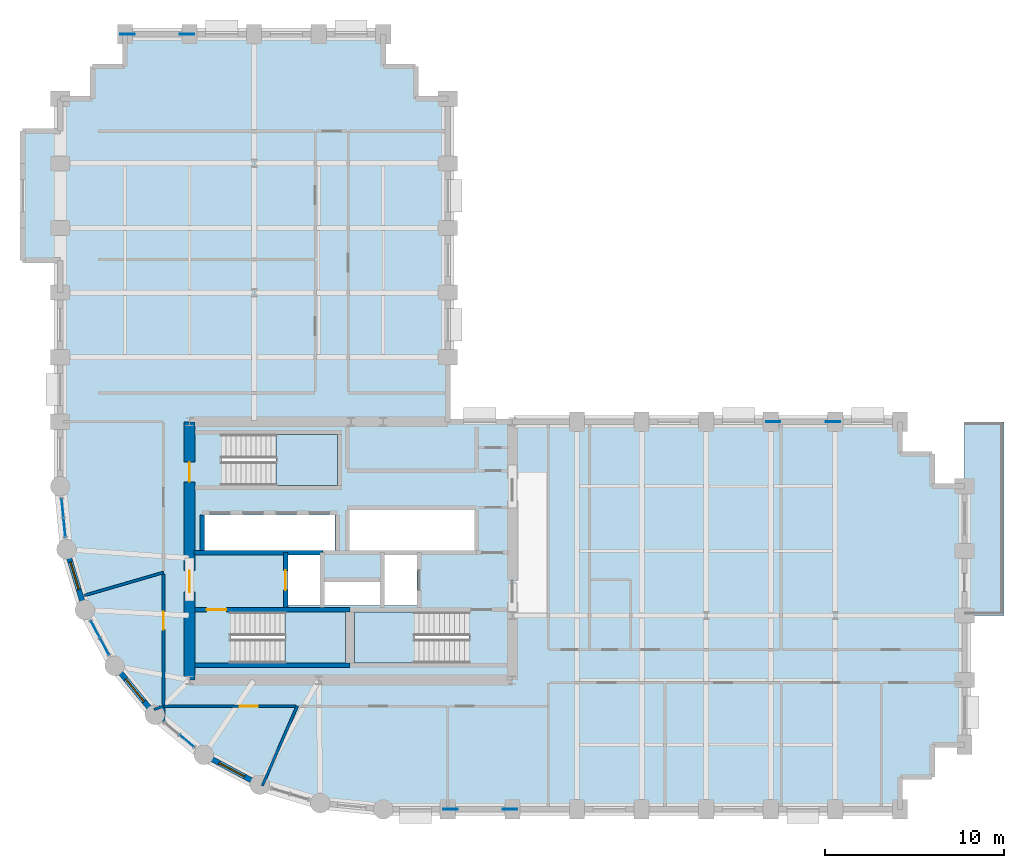
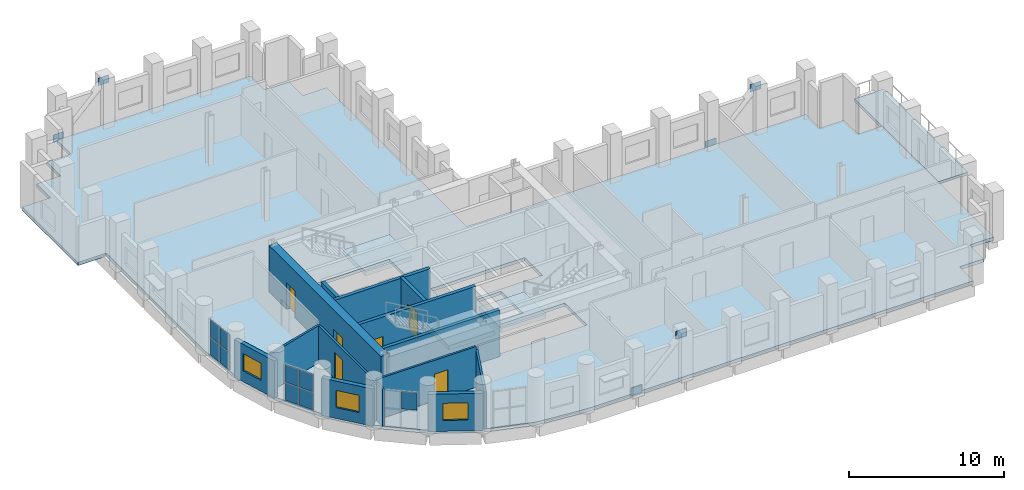
# One storey, part 7 of 13: 15 plates, 14 walls, 6 doors, 5 slabs, 3 windows, 9 openings, 6 elements without a shape of their own.
"""IFC4 building model written with IfcOpenShell, lengths in metres."""

from ifc_helpers import new_model, si_unit, direction, frame, frame_2d, origin, origin_2d, place, context, subcontext, project, spatial, polyline, rectangle, outline, extrude, material, layer, layer_set, type_object, element, fill, aggregate, save


model = new_model("IFC4")

# Units and contexts
model_context = context("Model", 3, precision=1e-05, world=origin(), true_north=direction((0.0, 1.0)))
body_context = subcontext(model_context, "Body", "Model", "MODEL_VIEW")
ifc_project = project(units=[si_unit("LENGTHUNIT", "METRE"), si_unit("AREAUNIT", "SQUARE_METRE"), si_unit("VOLUMEUNIT", "CUBIC_METRE"), si_unit("PLANEANGLEUNIT", "RADIAN"), si_unit("MASSUNIT", "GRAM", prefix="KILO")], contexts=[model_context])

# Site, building, storey
site_placement = place(None, origin())
site = spatial("IfcSite", under=ifc_project, at=site_placement, CompositionType="ELEMENT")
building_placement = place(site_placement, origin())
building = spatial("IfcBuilding", under=site, at=building_placement, Name="Solnavia Interchange Tower", CompositionType="ELEMENT")
storey_placement = place(building_placement, frame((0.0, 0.0, 87.89990234375)))
storey = spatial("IfcBuildingStorey", under=building, at=storey_placement, Name="L21", CompositionType="ELEMENT", Elevation=87.89990234375)

# Curtain wall, plates
ifc_material_1 = material(Name="Aluminium Alloy 6063-T6", Category="aluminium")
ifc_layer_1 = layer(ifc_material_1, 0.239990234375)
ifc_layer_set_1 = layer_set([ifc_layer_1], Name="Aluminium Alloy 6063-T6")
curtain_wall_type = type_object("IfcCurtainWallType", Name="CurtainWall-Drum-CTW2", PredefinedType="NOTDEFINED", material=ifc_layer_set_1)
curtain_wall_1_placement = place(storey_placement, origin())
curtain_wall_1 = element("IfcCurtainWall", 1, at=curtain_wall_1_placement, inside=storey, type_object=curtain_wall_type, Name="CTW-L21-D55 CTW-2 curtain wall", PredefinedType="NOTDEFINED")
ifc_material_2 = material(Name="Double-Glazed Low-E IGU Glass", Category="glass")
ifc_layer_2 = layer(ifc_material_2, 0.031982421875)
ifc_layer_set_2 = layer_set([ifc_layer_2], Name="Double-Glazed Low-E IGU Glass")
plate_type_1 = type_object("IfcPlateType", Name="CW-Panel-Solar-32", PredefinedType="CURTAIN_PANEL", material=ifc_layer_set_2)
plate_1_placement = place(storey_placement, frame((7.319580078125, 20.38623046875, 0.06494140625), z_axis=(0.0, 0.0, 1.0), x_axis=(0.098045297616, -0.995181953019, 0.0)))
plate_1 = element("IfcPlate", 2, at=plate_1_placement, type_object=plate_type_1, Name="CTW-2 panel 1.1", PredefinedType="CURTAIN_PANEL", context=body_context, shape_type="SweptSolid", body=[
    extrude(rectangle(XDim=1.0146484375, YDim=0.031982421875, at=origin_2d()), origin(), (0.0, 0.0, 1.0), 1.367431640625),
])
plate_2_placement = place(storey_placement, frame((7.319580078125, 20.38623046875, 1.49755859375), z_axis=(0.0, 0.0, 1.0), x_axis=(0.098045297616, -0.995181953019, 0.0)))
plate_2 = element("IfcPlate", 3, at=plate_2_placement, type_object=plate_type_1, Name="CTW-2 panel 1.2", PredefinedType="CURTAIN_PANEL", context=body_context, shape_type="SweptSolid", body=[
    extrude(rectangle(XDim=1.0146484375, YDim=0.031982421875, at=origin_2d()), origin(), (0.0, 0.0, 1.0), 1.367431640625),
])
plate_3_placement = place(storey_placement, frame((7.426513671875, 19.3017578125, 0.06494140625), z_axis=(0.0, 0.0, 1.0), x_axis=(0.098045297616, -0.995181953019, 0.0)))
plate_3 = element("IfcPlate", 4, at=plate_3_placement, type_object=plate_type_1, Name="CTW-2 panel 2.1", PredefinedType="CURTAIN_PANEL", context=body_context, shape_type="SweptSolid", body=[
    extrude(rectangle(XDim=1.0146484375, YDim=0.031982421875, at=origin_2d()), origin(), (0.0, 0.0, 1.0), 1.367431640625),
])
plate_4_placement = place(storey_placement, frame((7.426513671875, 19.3017578125, 1.49755859375), z_axis=(0.0, 0.0, 1.0), x_axis=(0.098045297616, -0.995181953019, 0.0)))
plate_4 = element("IfcPlate", 5, at=plate_4_placement, type_object=plate_type_1, Name="CTW-2 panel 2.2", PredefinedType="CURTAIN_PANEL", context=body_context, shape_type="SweptSolid", body=[
    extrude(rectangle(XDim=1.0146484375, YDim=0.031982421875, at=origin_2d()), origin(), (0.0, 0.0, 1.0), 1.367431640625),
])
aggregate(curtain_wall_1, [plate_1, plate_2, plate_3, plate_4])

curtain_wall_2_placement = place(storey_placement, origin())
curtain_wall_2 = element("IfcCurtainWall", 6, at=curtain_wall_2_placement, inside=storey, type_object=curtain_wall_type, Name="CTW-L21-D57 CTW-2 curtain wall", PredefinedType="NOTDEFINED")
plate_5_placement = place(storey_placement, frame((9.14501953125, 13.636474609375, 0.06494140625), z_axis=(0.0, 0.0, 1.0), x_axis=(0.471536719402, -0.881846427818, 0.0)))
plate_5 = element("IfcPlate", 7, at=plate_5_placement, type_object=plate_type_1, Name="CTW-2 panel 1.1", PredefinedType="CURTAIN_PANEL", context=body_context, shape_type="SweptSolid", body=[
    extrude(rectangle(XDim=1.014404296875, YDim=0.031982421875, at=origin_2d()), origin(), (0.0, 0.0, 1.0), 1.367431640625),
])
plate_6_placement = place(storey_placement, frame((9.14501953125, 13.636474609375, 1.49755859375), z_axis=(0.0, 0.0, 1.0), x_axis=(0.471536719402, -0.881846427818, 0.0)))
plate_6 = element("IfcPlate", 8, at=plate_6_placement, type_object=plate_type_1, Name="CTW-2 panel 1.2", PredefinedType="CURTAIN_PANEL", context=body_context, shape_type="SweptSolid", body=[
    extrude(rectangle(XDim=1.014404296875, YDim=0.031982421875, at=origin_2d()), origin(), (0.0, 0.0, 1.0), 1.367431640625),
])
plate_7_placement = place(storey_placement, frame((9.658935546875, 12.675537109375, 0.06494140625), z_axis=(0.0, 0.0, 1.0), x_axis=(0.471536719402, -0.881846427818, 0.0)))
plate_7 = element("IfcPlate", 9, at=plate_7_placement, type_object=plate_type_1, Name="CTW-2 panel 2.1", PredefinedType="CURTAIN_PANEL", context=body_context, shape_type="SweptSolid", body=[
    extrude(rectangle(XDim=1.014404296875, YDim=0.031982421875, at=origin_2d()), origin(), (0.0, 0.0, 1.0), 1.367431640625),
])
plate_8_placement = place(storey_placement, frame((9.658935546875, 12.675537109375, 1.49755859375), z_axis=(0.0, 0.0, 1.0), x_axis=(0.471536719402, -0.881846427818, 0.0)))
plate_8 = element("IfcPlate", 10, at=plate_8_placement, type_object=plate_type_1, Name="CTW-2 panel 2.2", PredefinedType="CURTAIN_PANEL", context=body_context, shape_type="SweptSolid", body=[
    extrude(rectangle(XDim=1.014404296875, YDim=0.031982421875, at=origin_2d()), origin(), (0.0, 0.0, 1.0), 1.367431640625),
])
aggregate(curtain_wall_2, [plate_5, plate_6, plate_7, plate_8])

# Curtain wall, plate
curtain_wall_3_placement = place(storey_placement, origin())
curtain_wall_3 = element("IfcCurtainWall", 11, at=curtain_wall_3_placement, inside=storey, type_object=curtain_wall_type, Name="CTW-L21-D59 CTW-2 curtain wall", PredefinedType="NOTDEFINED")
plate_9_placement = place(storey_placement, frame((14.257080078125, 7.407470703125, 1.49755859375), z_axis=(0.0, 0.0, 1.0), x_axis=(0.773094572227, -0.634290771172, 0.0)))
plate_9 = element("IfcPlate", 12, at=plate_9_placement, type_object=plate_type_1, Name="CTW-2 panel 2.2", PredefinedType="CURTAIN_PANEL", context=body_context, shape_type="SweptSolid", body=[
    extrude(rectangle(XDim=1.01416015625, YDim=0.031982421875, at=origin_2d()), origin(), (0.0, 0.0, 1.0), 1.367431640625),
])
aggregate(curtain_wall_3, [plate_9])

# Plates
ifc_material_3 = material(Name="Steel S460", Category="steel")
ifc_layer_3 = layer(ifc_material_3, 0.035888671875)
ifc_layer_set_3 = layer_set([ifc_layer_3], Name="Steel S460")
plate_type_2 = type_object("IfcPlateType", Name="Plate-Gusset-800x600x36", PredefinedType="USERDEFINED", material=ifc_layer_set_3)
for number, where, z_axis, x_axis, name in (
    (13, (28.93994140625, 3.60009765625, -0.119873046875), (0.0, 0.0, 1.0), (1.0, 0.0, 0.0), "PLT-L21-GP01 Perimeter brace gusset plate"),
    (14, (32.260009765625, 3.60009765625, 3.170166015625), (0.0, 0.0, 1.0), (1.0, 0.0, 0.0), "PLT-L21-GP02 Perimeter brace gusset plate"),
    (15, (10.93994140625, 46.800048828125, -0.119873046875), (0.0, 0.0, 1.0), (1.0, 0.0, 0.0), "PLT-L21-GP03 Perimeter brace gusset plate"),
    (16, (14.260009765625, 46.800048828125, 3.170166015625), (0.0, 0.0, 1.0), (1.0, 0.0, 0.0), "PLT-L21-GP04 Perimeter brace gusset plate"),
    (17, (46.93994140625, 25.199951171875, -0.119873046875), (0.0, 0.0, 1.0), (1.0, 0.0, 0.0), "PLT-L21-GP05 Perimeter brace gusset plate"),
    (18, (50.260009765625, 25.199951171875, 3.170166015625), (0.0, 0.0, 1.0), (1.0, 0.0, 0.0), "PLT-L21-GP06 Perimeter brace gusset plate"),
):
    element("IfcPlate", number, at=place(storey_placement, frame(where, z_axis=z_axis, x_axis=x_axis)), inside=storey, type_object=plate_type_2, Name=name, ObjectType="GUSSET PLATE", PredefinedType="USERDEFINED", context=body_context, shape_type="SweptSolid", body=[
        extrude(rectangle(XDim=0.800048828125, YDim=0.035888671875, at=origin_2d()), origin(), (0.0, 0.0, 1.0), 0.60009765625),
    ])

# Stair, slab
ifc_material_4 = material(Name="Concrete C40/50", Category="concrete")
stair_type = type_object("IfcStairType", Name="Stair-Dogleg-RC", PredefinedType="HALF_TURN_STAIR", material=ifc_material_4)
stair_1_placement = place(storey_placement, origin())
stair_1 = element("IfcStair", 19, at=stair_1_placement, inside=storey, type_object=stair_type, Name="L21 Core exit stair 1", PredefinedType="HALF_TURN_STAIR")
ifc_layer_4 = layer(ifc_material_4, 0.35009765625)
ifc_layer_set_4 = layer_set([ifc_layer_4], Name="Concrete C40/50")
slab_type_1 = type_object("IfcSlabType", Name="Slab-StairLanding-350", PredefinedType="LANDING", material=ifc_layer_set_4)
slab_1_placement = place(storey_placement, frame((0.0, 0.0, 1.60009765625)))
slab_1 = element("IfcSlab", 20, at=slab_1_placement, type_object=slab_type_1, Name="ST-1 landing 1", PredefinedType="LANDING", context=body_context, shape_type="SweptSolid", body=[
    extrude(outline(polyline([(19.7080078125, 11.75), (23.10009765625, 11.75), (23.10009765625, 14.590087890625), (19.7080078125, 14.590087890625), (19.7080078125, 11.75)])), origin(), (0.0, 0.0, 1.0), 0.35009765625),
])
aggregate(stair_1, [slab_1])

stair_2_placement = place(storey_placement, origin())
stair_2 = element("IfcStair", 21, at=stair_2_placement, inside=storey, type_object=stair_type, Name="L21 Core exit stair 2", PredefinedType="HALF_TURN_STAIR")
slab_2_placement = place(storey_placement, frame((0.0, 0.0, 1.60009765625)))
slab_2 = element("IfcSlab", 22, at=slab_2_placement, type_object=slab_type_1, Name="ST-2 landing 1", PredefinedType="LANDING", context=body_context, shape_type="SweptSolid", body=[
    extrude(outline(polyline([(23.60009765625, 11.75), (26.94189453125, 11.75), (26.94189453125, 14.590087890625), (23.60009765625, 14.590087890625), (23.60009765625, 11.75)])), origin(), (0.0, 0.0, 1.0), 0.35009765625),
])
aggregate(stair_2, [slab_2])

stair_3_placement = place(storey_placement, origin())
stair_3 = element("IfcStair", 23, at=stair_3_placement, inside=storey, type_object=stair_type, Name="L21 Core exit stair 3", PredefinedType="HALF_TURN_STAIR")
slab_3_placement = place(storey_placement, frame((0.0, 0.0, 1.60009765625)))
slab_3 = element("IfcSlab", 24, at=slab_3_placement, type_object=slab_type_1, Name="ST-3 landing 1", PredefinedType="LANDING", context=body_context, shape_type="SweptSolid", body=[
    extrude(outline(polyline([(19.2080078125, 21.64990234375), (22.64990234375, 21.64990234375), (22.64990234375, 24.489990234375), (19.2080078125, 24.489990234375), (19.2080078125, 21.64990234375)])), origin(), (0.0, 0.0, 1.0), 0.35009765625),
])
aggregate(stair_3, [slab_3])

# Slabs
ifc_layer_5 = layer(ifc_material_4, 0.219970703125)
ifc_layer_set_5 = layer_set([ifc_layer_5], Name="Concrete C40/50")
slab_type_2 = type_object("IfcSlabType", Name="Slab-Terrace-220", PredefinedType="FLOOR", material=ifc_layer_set_5)
slab_4_placement = place(storey_placement, frame((0.0, 0.0, -0.260009765625)))
element("IfcSlab", 25, at=slab_4_placement, inside=storey, type_object=slab_type_2, Name="TER-L21-01 Outdoor spiral terrace slab", PredefinedType="FLOOR", context=body_context, shape_type="SweptSolid", body=[
    extrude(outline(polyline([(57.60009765625, 14.39990234375), (59.800048828125, 14.39990234375), (59.800048828125, 25.199951171875), (57.60009765625, 25.199951171875), (57.60009765625, 14.39990234375)])), origin(), (0.0, 0.0, 1.0), 0.22021484375),
])
ifc_layer_6 = layer(ifc_material_4, 0.25)
ifc_layer_set_6 = layer_set([ifc_layer_6], Name="Concrete C40/50")
slab_type_3 = type_object("IfcSlabType", Name="Slab-Tower-250", PredefinedType="FLOOR", material=ifc_layer_set_6)
slab_5_placement = place(storey_placement, frame((0.0, 0.0, -0.25)))
element("IfcSlab", 26, at=slab_5_placement, inside=storey, type_object=slab_type_3, Name="SLB-L21-01 Structural floor slab", PredefinedType="FLOOR", context=body_context, shape_type="SweptSolid", body=[
    extrude(outline(polyline([(25.199951171875, 3.60009765625), (54.0, 3.60009765625), (54.0, 5.39990234375), (55.800048828125, 5.39990234375), (55.800048828125, 7.199951171875), (57.60009765625, 7.199951171875), (57.60009765625, 21.60009765625), (55.800048828125, 21.60009765625), (55.800048828125, 23.39990234375), (54.0, 23.39990234375), (54.0, 25.199951171875), (28.800048828125, 25.199951171875), (28.800048828125, 43.199951171875), (27.0, 43.199951171875), (27.0, 45.0), (25.199951171875, 45.0), (25.199951171875, 46.800048828125), (10.800048828125, 46.800048828125), (10.800048828125, 45.0), (9.0, 45.0), (9.0, 43.199951171875), (7.199951171875, 43.199951171875), (7.199951171875, 41.39990234375), (5.10009765625, 41.39990234375), (5.10009765625, 34.199951171875), (7.199951171875, 34.199951171875), (7.199951171875, 21.60009765625), (7.5458984375, 18.087890625), (8.570068359375, 14.7119140625), (10.23388671875, 11.60009765625), (12.471923828125, 8.8720703125), (15.199951171875, 6.634033203125), (18.31201171875, 4.969970703125), (21.68798828125, 3.946044921875), (25.199951171875, 3.60009765625)]), holes=[polyline([(16.675048828125, 11.75), (23.10009765625, 11.75), (23.10009765625, 14.590087890625), (16.675048828125, 14.590087890625), (16.675048828125, 11.75)]), polyline([(23.60009765625, 11.75), (29.97509765625, 11.75), (29.97509765625, 14.590087890625), (23.60009765625, 14.590087890625), (23.60009765625, 11.75)]), polyline([(16.175048828125, 21.64990234375), (22.64990234375, 21.64990234375), (22.64990234375, 24.489990234375), (16.175048828125, 24.489990234375), (16.175048828125, 21.64990234375)]), polyline([(19.8798828125, 14.9599609375), (21.679931640625, 14.9599609375), (21.679931640625, 17.780029296875), (19.8798828125, 17.780029296875), (19.8798828125, 14.9599609375)]), polyline([(25.280029296875, 14.9599609375), (27.080078125, 14.9599609375), (27.080078125, 17.780029296875), (25.280029296875, 17.780029296875), (25.280029296875, 14.9599609375)]), polyline([(21.919921875, 14.9599609375), (25.02001953125, 14.9599609375), (25.02001953125, 16.280029296875), (21.919921875, 16.280029296875), (21.919921875, 14.9599609375)]), polyline([(15.219970703125, 18.02001953125), (22.52001953125, 18.02001953125), (22.52001953125, 20.0), (15.219970703125, 20.0), (15.219970703125, 18.02001953125)]), polyline([(23.300048828125, 18.02001953125), (30.280029296875, 18.02001953125), (30.280029296875, 20.300048828125), (23.300048828125, 20.300048828125), (23.300048828125, 18.02001953125)])]), origin(), (0.0, 0.0, 1.0), 0.25),
])

# Wall, opening, window
ifc_layer_7 = layer(ifc_material_4, 0.300048828125)
ifc_layer_set_7 = layer_set([ifc_layer_7], Name="Concrete C40/50")
wall_type_1 = type_object("IfcWallType", Name="Wall-ExtSpandrel-300", PredefinedType="STANDARD", material=ifc_layer_set_7)
wall_1_placement = place(storey_placement, frame((8.570068359375, 14.7119140625, 0.0), z_axis=(0.0, 0.0, 1.0), x_axis=(-0.290305086481, 0.956934144423, 0.0)))
wall_1 = element("IfcWall", 27, at=wall_1_placement, inside=storey, type_object=wall_type_1, Name="EXW-L21-56 Exterior precast spandrel wall", PredefinedType="STANDARD", context=body_context, shape_type="SweptSolid", body=[
    extrude(rectangle(XDim=3.52783203125, YDim=0.300048828125, at=frame_2d((1.763916015625, 0.0))), origin(), (0.0, 0.0, 1.0), 2.93017578125),
])
opening_1_placement = place(wall_1_placement, frame((1.18408203125, 0.0, 0.85009765625)))
opening_1 = element("IfcOpeningElement", 28, at=opening_1_placement, cuts=wall_1, Name="Opening WIN-04", PredefinedType="OPENING", context=body_context, shape_type="SweptSolid", body=[
    extrude(rectangle(XDim=1.60009765625, YDim=1.35009765625, at=frame_2d((0.800048828125, 0.675048828125))), frame((0.0, 0.16015625, 0.0), z_axis=(0.0, -1.0, 0.0), x_axis=(1.0, 0.0, 0.0)), (0.0, 0.0, 1.0), 0.320068359375),
])
ifc_material_5 = material(Name="Thermal-Break Aluminium & Low-E Glass", Category="aluminium")
window_type = type_object("IfcWindowType", Name="Window-Drum-1600x1350", PartitioningType="SINGLE_PANEL", PredefinedType="WINDOW", material=ifc_material_5)
window_1_placement = place(opening_1_placement, origin())
window_1 = element("IfcWindow", 29, at=window_1_placement, inside=storey, type_object=window_type, Name="WIN-L21-56 Facade ribbon window", OverallHeight=1.35009765625, OverallWidth=1.60009765625, PartitioningType="SINGLE_PANEL", PredefinedType="WINDOW", context=body_context, shape_type="SweptSolid", body=[
    extrude(rectangle(XDim=1.60009765625, YDim=1.35009765625, at=frame_2d((0.800048828125, 0.675048828125))), frame((0.0, 0.030029296875, 0.0), z_axis=(0.0, -1.0, 0.0), x_axis=(1.0, 0.0, 0.0)), (0.0, 0.0, 1.0), 0.06005859375),
])
fill(opening_1, window_1)

wall_2_placement = place(storey_placement, frame((12.471923828125, 8.8720703125, 0.0), z_axis=(0.0, 0.0, 1.0), x_axis=(-0.634258295121, 0.773121216285, 0.0)))
wall_2 = element("IfcWall", 30, at=wall_2_placement, inside=storey, type_object=wall_type_1, Name="EXW-L21-58 Exterior precast spandrel wall", PredefinedType="STANDARD", context=body_context, shape_type="SweptSolid", body=[
    extrude(rectangle(XDim=3.528564453125, YDim=0.300048828125, at=frame_2d((1.76416015625, 0.0))), origin(), (0.0, 0.0, 1.0), 2.93017578125),
])
opening_2_placement = place(wall_2_placement, frame((0.964111328125, 0.0, 0.85009765625)))
opening_2 = element("IfcOpeningElement", 31, at=opening_2_placement, cuts=wall_2, Name="Opening WIN-04", PredefinedType="OPENING", context=body_context, shape_type="SweptSolid", body=[
    extrude(rectangle(XDim=1.60009765625, YDim=1.35009765625, at=frame_2d((0.800048828125, 0.675048828125))), frame((0.0, 0.16015625, 0.0), z_axis=(0.0, -1.0, 0.0), x_axis=(1.0, 0.0, 0.0)), (0.0, 0.0, 1.0), 0.320068359375),
])
window_2_placement = place(opening_2_placement, origin())
window_2 = element("IfcWindow", 32, at=window_2_placement, inside=storey, type_object=window_type, Name="WIN-L21-58 Facade ribbon window", OverallHeight=1.35009765625, OverallWidth=1.60009765625, PartitioningType="SINGLE_PANEL", PredefinedType="WINDOW", context=body_context, shape_type="SweptSolid", body=[
    extrude(rectangle(XDim=1.60009765625, YDim=1.35009765625, at=frame_2d((0.800048828125, 0.675048828125))), frame((0.0, 0.030029296875, 0.0), z_axis=(0.0, -1.0, 0.0), x_axis=(1.0, 0.0, 0.0)), (0.0, 0.0, 1.0), 0.06005859375),
])
fill(opening_2, window_2)

wall_3_placement = place(storey_placement, frame((18.31201171875, 4.969970703125, 0.0), z_axis=(0.0, 0.0, 1.0), x_axis=(-0.881846862014, 0.471535907389, 0.0)))
wall_3 = element("IfcWall", 33, at=wall_3_placement, inside=storey, type_object=wall_type_1, Name="EXW-L21-60 Exterior precast spandrel wall", PredefinedType="STANDARD", context=body_context, shape_type="SweptSolid", body=[
    extrude(rectangle(XDim=3.529052734375, YDim=0.300048828125, at=frame_2d((1.7646484375, 0.0))), origin(), (0.0, 0.0, 1.0), 2.93017578125),
])
opening_3_placement = place(wall_3_placement, frame((0.964111328125, 0.0, 0.85009765625)))
opening_3 = element("IfcOpeningElement", 34, at=opening_3_placement, cuts=wall_3, Name="Opening WIN-04", PredefinedType="OPENING", context=body_context, shape_type="SweptSolid", body=[
    extrude(rectangle(XDim=1.60009765625, YDim=1.35009765625, at=frame_2d((0.800048828125, 0.675048828125))), frame((0.0, 0.16015625, 0.0), z_axis=(0.0, -1.0, 0.0), x_axis=(1.0, 0.0, 0.0)), (0.0, 0.0, 1.0), 0.320068359375),
])
window_3_placement = place(opening_3_placement, origin())
window_3 = element("IfcWindow", 35, at=window_3_placement, inside=storey, type_object=window_type, Name="WIN-L21-60 Facade ribbon window", OverallHeight=1.35009765625, OverallWidth=1.60009765625, PartitioningType="SINGLE_PANEL", PredefinedType="WINDOW", context=body_context, shape_type="SweptSolid", body=[
    extrude(rectangle(XDim=1.60009765625, YDim=1.35009765625, at=frame_2d((0.800048828125, 0.675048828125))), frame((0.0, 0.030029296875, 0.0), z_axis=(0.0, -1.0, 0.0), x_axis=(1.0, 0.0, 0.0)), (0.0, 0.0, 1.0), 0.06005859375),
])
fill(opening_3, window_3)

# Walls
ifc_material_6 = material(Name="Gypsum Plasterboard & Steel Stud", Category="steel")
ifc_layer_8 = layer(ifc_material_6, 0.14990234375)
ifc_layer_set_8 = layer_set([ifc_layer_8], Name="Gypsum Plasterboard & Steel Stud")
wall_type_2 = type_object("IfcWallType", Name="Wall-Partition-150", PredefinedType="PARTITIONING", material=ifc_layer_set_8)
wall_4_placement = place(storey_placement, frame((12.949951171875, 16.800048828125, 0.0), z_axis=(0.0, 0.0, 1.0), x_axis=(-0.960237798553, -0.279183398915, 0.0)))
element("IfcWall", 36, at=wall_4_placement, inside=storey, type_object=wall_type_2, Name="PTW-L21-09 Interior partition wall", PredefinedType="PARTITIONING", context=body_context, shape_type="SweptSolid", body=[
    extrude(rectangle(XDim=4.5927734375, YDim=0.14990234375, at=frame_2d((2.29638671875, 0.0))), origin(), (0.0, 0.0, 1.0), 2.93017578125),
])
wall_5_placement = place(storey_placement, frame((12.949951171875, 9.35009765625, 0.0), z_axis=(0.0, 0.0, 1.0), x_axis=(-0.939538101119, -0.342444384601, 0.0)))
element("IfcWall", 37, at=wall_5_placement, inside=storey, type_object=wall_type_2, Name="PTW-L21-10 Interior partition wall", PredefinedType="PARTITIONING", context=body_context, shape_type="SweptSolid", body=[
    extrude(rectangle(XDim=0.558837890625, YDim=0.14990234375, at=frame_2d((0.279296875, 0.0))), origin(), (0.0, 0.0, 1.0), 2.93017578125),
])
wall_6_placement = place(storey_placement, frame((20.39990234375, 9.35009765625, 0.0), z_axis=(0.0, 0.0, 1.0), x_axis=(-0.400943051832, -0.916102979576, 0.0)))
element("IfcWall", 38, at=wall_6_placement, inside=storey, type_object=wall_type_2, Name="PTW-L21-11 Interior partition wall", PredefinedType="PARTITIONING", context=body_context, shape_type="SweptSolid", body=[
    extrude(rectangle(XDim=4.845703125, YDim=0.14990234375, at=frame_2d((2.4228515625, 0.0))), origin(), (0.0, 0.0, 1.0), 2.93017578125),
])

# Wall, opening, door
wall_7_placement = place(storey_placement, frame((12.949951171875, 8.47998046875, 0.0), z_axis=(0.0, 0.0, 1.0), x_axis=(0.0, 1.0, 0.0)))
wall_7 = element("IfcWall", 39, at=wall_7_placement, inside=storey, type_object=wall_type_2, Name="PTW-L21-13 Interior partition wall", PredefinedType="PARTITIONING", context=body_context, shape_type="SweptSolid", body=[
    extrude(rectangle(XDim=8.240966796875, YDim=0.14990234375, at=frame_2d((4.12060546875, 0.0))), origin(), (0.0, 0.0, 1.0), 2.93017578125),
])
opening_4_placement = place(wall_7_placement, frame((5.131103515625, 0.0, 0.0)))
opening_4 = element("IfcOpeningElement", 40, at=opening_4_placement, cuts=wall_7, Name="Opening DR-07", PredefinedType="OPENING", context=body_context, shape_type="SweptSolid", body=[
    extrude(rectangle(XDim=1.0, YDim=2.10009765625, at=frame_2d((0.5, 1.050048828125))), frame((0.0, 0.0849609375, 0.0), z_axis=(0.0, -1.0, 0.0), x_axis=(1.0, 0.0, 0.0)), (0.0, 0.0, 1.0), 0.169921875),
])
ifc_material_7 = material(Name="Timber & Acoustic Glazed Office Door", Category="wood")
door_type_1 = type_object("IfcDoorType", Name="Door-Office-1000x2100", OperationType="SINGLE_SWING_RIGHT", PredefinedType="DOOR", material=ifc_material_7)
door_1_placement = place(opening_4_placement, origin())
door_1 = element("IfcDoor", 41, at=door_1_placement, inside=storey, type_object=door_type_1, Name="DR-L21-04 Interior room door", OperationType="SINGLE_SWING_RIGHT", OverallHeight=2.10009765625, OverallWidth=1.0, PredefinedType="DOOR", context=body_context, shape_type="SweptSolid", body=[
    extrude(rectangle(XDim=1.0, YDim=2.10009765625, at=frame_2d((0.5, 1.050048828125))), frame((0.0, 0.02490234375, 0.0), z_axis=(0.0, -1.0, 0.0), x_axis=(1.0, 0.0, 0.0)), (0.0, 0.0, 1.0), 0.050048828125),
])
fill(opening_4, door_1)

wall_8_placement = place(storey_placement, frame((12.949951171875, 9.35009765625, 0.0), z_axis=(0.0, 0.0, 1.0), x_axis=(1.0, 0.0, 0.0)))
wall_8 = element("IfcWall", 42, at=wall_8_placement, inside=storey, type_object=wall_type_2, Name="PTW-L21-14 Interior partition wall", PredefinedType="PARTITIONING", context=body_context, shape_type="SweptSolid", body=[
    extrude(rectangle(XDim=7.37109375, YDim=0.14990234375, at=frame_2d((3.685546875, 0.0))), origin(), (0.0, 0.0, 1.0), 3.190185546875),
])
opening_5_placement = place(wall_8_placement, frame((4.260986328125, 0.0, 0.0)))
opening_5 = element("IfcOpeningElement", 43, at=opening_5_placement, cuts=wall_8, Name="Opening DR-07", PredefinedType="OPENING", context=body_context, shape_type="SweptSolid", body=[
    extrude(rectangle(XDim=1.0, YDim=2.10009765625, at=frame_2d((0.5, 1.050048828125))), frame((0.0, 0.0849609375, 0.0), z_axis=(0.0, -1.0, 0.0), x_axis=(1.0, 0.0, 0.0)), (0.0, 0.0, 1.0), 0.169921875),
])
door_2_placement = place(opening_5_placement, origin())
door_2 = element("IfcDoor", 44, at=door_2_placement, inside=storey, type_object=door_type_1, Name="DR-L21-05 Interior room door", OperationType="SINGLE_SWING_LEFT", OverallHeight=2.10009765625, OverallWidth=1.0, PredefinedType="DOOR", context=body_context, shape_type="SweptSolid", body=[
    extrude(rectangle(XDim=1.0, YDim=2.10009765625, at=frame_2d((0.5, 1.050048828125))), frame((0.0, 0.02490234375, 0.0), z_axis=(0.0, -1.0, 0.0), x_axis=(1.0, 0.0, 0.0)), (0.0, 0.0, 1.0), 0.050048828125),
])
fill(opening_5, door_2)

# Wall
ifc_layer_9 = layer(ifc_material_4, 0.25)
ifc_layer_set_9 = layer_set([ifc_layer_9], Name="Concrete C40/50")
wall_type_3 = type_object("IfcWallType", Name="Wall-ShaftCore-250", PredefinedType="SHEAR", material=ifc_layer_set_9)
wall_9_placement = place(storey_placement, frame((14.699951171875, 11.625, 0.0), z_axis=(0.0, 0.0, 1.0), x_axis=(1.0, 0.0, 0.0)))
element("IfcWall", 45, at=wall_9_placement, inside=storey, type_object=wall_type_3, Name="SHW-L21-ST1S Core shear wall", PredefinedType="SHEAR", context=body_context, shape_type="SweptSolid", body=[
    extrude(rectangle(XDim=8.650146484375, YDim=0.25, at=frame_2d((4.3251953125, 0.0))), origin(), (0.0, 0.0, 1.0), 3.650146484375),
])

# Wall, opening, door
wall_10_placement = place(storey_placement, frame((14.699951171875, 14.715087890625, 0.0), z_axis=(0.0, 0.0, 1.0), x_axis=(1.0, 0.0, 0.0)))
wall_10 = element("IfcWall", 46, at=wall_10_placement, inside=storey, type_object=wall_type_3, Name="SHW-L21-ST1N Core shear wall", PredefinedType="SHEAR", context=body_context, shape_type="SweptSolid", body=[
    extrude(rectangle(XDim=8.650146484375, YDim=0.25, at=frame_2d((4.3251953125, 0.0))), origin(), (0.0, 0.0, 1.0), 3.650146484375),
])
opening_6_placement = place(wall_10_placement, frame((0.655029296875, 0.0, 0.0)))
opening_6 = element("IfcOpeningElement", 47, at=opening_6_placement, cuts=wall_10, Name="Opening DR-01", PredefinedType="OPENING", context=body_context, shape_type="SweptSolid", body=[
    extrude(rectangle(XDim=1.10009765625, YDim=2.10009765625, at=frame_2d((0.550048828125, 1.050048828125))), frame((0.0, 0.135009765625, 0.0), z_axis=(0.0, -1.0, 0.0), x_axis=(1.0, 0.0, 0.0)), (0.0, 0.0, 1.0), 0.27001953125),
])
ifc_material_8 = material(Name="Steel Fire-Rated Leaf & Frame", Category="steel")
door_type_2 = type_object("IfcDoorType", Name="Door-StairFire-1100x2100", OperationType="SINGLE_SWING_LEFT", PredefinedType="DOOR", material=ifc_material_8)
door_3_placement = place(opening_6_placement, origin())
door_3 = element("IfcDoor", 48, at=door_3_placement, inside=storey, type_object=door_type_2, Name="DR-L21-ST1 Core fire door", OperationType="SINGLE_SWING_LEFT", OverallHeight=2.10009765625, OverallWidth=1.10009765625, PredefinedType="DOOR", context=body_context, shape_type="SweptSolid", body=[
    extrude(rectangle(XDim=1.10009765625, YDim=2.10009765625, at=frame_2d((0.550048828125, 1.050048828125))), frame((0.0, 0.02490234375, 0.0), z_axis=(0.0, -1.0, 0.0), x_axis=(1.0, 0.0, 0.0)), (0.0, 0.0, 1.0), 0.050048828125),
])
fill(opening_6, door_3)

# Wall
ifc_layer_10 = layer(ifc_material_4, 0.25)
ifc_layer_set_10 = layer_set([ifc_layer_10], Name="Concrete C40/50")
wall_type_4 = type_object("IfcWallType", Name="Wall-ShaftPart-250", PredefinedType="PARTITIONING", material=ifc_layer_set_10)
wall_11_placement = place(storey_placement, frame((14.64990234375, 17.89990234375, 0.0), z_axis=(0.0, 0.0, 1.0), x_axis=(1.0, 0.0, 0.0)))
element("IfcWall", 49, at=wall_11_placement, inside=storey, type_object=wall_type_4, Name="SHW-L21-FFLW-N Core shaft wall", PredefinedType="PARTITIONING", context=body_context, shape_type="SweptSolid", body=[
    extrude(rectangle(XDim=7.150146484375, YDim=0.25, at=frame_2d((3.5751953125, 0.0))), origin(), (0.0, 0.0, 1.0), 3.635009765625),
])

# Wall, opening, door
wall_12_placement = place(storey_placement, frame((19.75, 14.840087890625, 0.0), z_axis=(0.0, 0.0, 1.0), x_axis=(0.0, 1.0, 0.0)))
wall_12 = element("IfcWall", 50, at=wall_12_placement, inside=storey, type_object=wall_type_4, Name="SHW-L21-FFL1-W Core shaft wall", PredefinedType="PARTITIONING", context=body_context, shape_type="SweptSolid", body=[
    extrude(rectangle(XDim=3.059814453125, YDim=0.25, at=frame_2d((1.52978515625, 0.0))), origin(), (0.0, 0.0, 1.0), 3.635009765625),
])
opening_7_placement = place(wall_12_placement, frame((0.97998046875, 0.0, 0.0)))
opening_7 = element("IfcOpeningElement", 51, at=opening_7_placement, cuts=wall_12, Name="Opening LD-01", PredefinedType="OPENING", context=body_context, shape_type="SweptSolid", body=[
    extrude(rectangle(XDim=1.10009765625, YDim=2.10009765625, at=frame_2d((0.550048828125, 1.050048828125))), frame((0.0, 0.135009765625, 0.0), z_axis=(0.0, -1.0, 0.0), x_axis=(1.0, 0.0, 0.0)), (0.0, 0.0, 1.0), 0.27001953125),
])
ifc_material_9 = material(Name="Brushed Stainless Steel Sliding Door", Category="steel")
door_type_3 = type_object("IfcDoorType", Name="Door-LiftLanding-1100x2100", OperationType="SLIDING_TO_LEFT", PredefinedType="DOOR", material=ifc_material_9)
door_4_placement = place(opening_7_placement, origin())
door_4 = element("IfcDoor", 52, at=door_4_placement, inside=storey, type_object=door_type_3, Name="LD-L21-FFL1 Lift landing sliding door", OperationType="SLIDING_TO_LEFT", OverallHeight=2.10009765625, OverallWidth=1.10009765625, PredefinedType="DOOR", context=body_context, shape_type="SweptSolid", body=[
    extrude(rectangle(XDim=1.10009765625, YDim=2.10009765625, at=frame_2d((0.550048828125, 1.050048828125))), frame((0.0, 0.02490234375, 0.0), z_axis=(0.0, -1.0, 0.0), x_axis=(1.0, 0.0, 0.0)), (0.0, 0.0, 1.0), 0.050048828125),
])
fill(opening_7, door_4)

# Wall
wall_13_placement = place(storey_placement, frame((15.10009765625, 18.02490234375, 0.0), z_axis=(0.0, 0.0, 1.0), x_axis=(0.0, 1.0, 0.0)))
element("IfcWall", 53, at=wall_13_placement, inside=storey, type_object=wall_type_4, Name="SHW-L21-B1W Core shaft wall", PredefinedType="PARTITIONING", context=body_context, shape_type="SweptSolid", body=[
    extrude(rectangle(XDim=1.97509765625, YDim=0.25, at=frame_2d((0.987548828125, 0.0))), origin(), (0.0, 0.0, 1.0), 3.635009765625),
])

# Wall, openings, doors
ifc_material_10 = material(Name="Concrete C60/75", Category="concrete")
ifc_layer_11 = layer(ifc_material_10, 0.60009765625)
ifc_layer_set_11 = layer_set([ifc_layer_11], Name="Concrete C60/75")
wall_type_5 = type_object("IfcWallType", Name="Wall-ShearCore-600", PredefinedType="SHEAR", material=ifc_layer_set_11)
wall_14_placement = place(storey_placement, frame((14.39990234375, 10.800048828125, 0.0), z_axis=(0.0, 0.0, 1.0), x_axis=(0.0, 1.0, 0.0)))
wall_14 = element("IfcWall", 54, at=wall_14_placement, inside=storey, type_object=wall_type_5, Name="CRW-L21-W Core shear wall", PredefinedType="SHEAR", context=body_context, shape_type="SweptSolid", body=[
    extrude(rectangle(XDim=14.39990234375, YDim=0.60009765625, at=frame_2d((7.199951171875, 0.0))), origin(), (0.0, 0.0, 1.0), 3.650146484375),
])
opening_8_placement = place(wall_14_placement, frame((11.050048828125, 0.0, 0.0)))
opening_8 = element("IfcOpeningElement", 55, at=opening_8_placement, cuts=wall_14, Name="Opening DR-01", PredefinedType="OPENING", context=body_context, shape_type="SweptSolid", body=[
    extrude(rectangle(XDim=1.10009765625, YDim=2.10009765625, at=frame_2d((0.550048828125, 1.050048828125))), frame((0.0, 0.31005859375, 0.0), z_axis=(0.0, -1.0, 0.0), x_axis=(1.0, 0.0, 0.0)), (0.0, 0.0, 1.0), 0.6201171875),
])
opening_9_placement = place(wall_14_placement, frame((4.89990234375, 0.0, 0.0)))
opening_9 = element("IfcOpeningElement", 56, at=opening_9_placement, cuts=wall_14, Name="Opening DR-02", PredefinedType="OPENING", context=body_context, shape_type="SweptSolid", body=[
    extrude(rectangle(XDim=1.199951171875, YDim=2.10009765625, at=frame_2d((0.60009765625, 1.050048828125))), frame((0.0, 0.31005859375, 0.0), z_axis=(0.0, -1.0, 0.0), x_axis=(1.0, 0.0, 0.0)), (0.0, 0.0, 1.0), 0.6201171875),
])
ifc_material_11 = material(Name="Steel Fire-Rated Vision-Panel Door", Category="steel")
door_type_4 = type_object("IfcDoorType", Name="Door-LobbyFire-1200x2100", OperationType="SINGLE_SWING_RIGHT", PredefinedType="DOOR", material=ifc_material_11)
door_5_placement = place(opening_9_placement, origin())
door_5 = element("IfcDoor", 57, at=door_5_placement, inside=storey, type_object=door_type_4, Name="DR-L21-FFL1W Core fire door", OperationType="SINGLE_SWING_RIGHT", OverallHeight=2.10009765625, OverallWidth=1.199951171875, PredefinedType="DOOR", context=body_context, shape_type="SweptSolid", body=[
    extrude(rectangle(XDim=1.199951171875, YDim=2.10009765625, at=frame_2d((0.60009765625, 1.050048828125))), frame((0.0, 0.02490234375, 0.0), z_axis=(0.0, -1.0, 0.0), x_axis=(1.0, 0.0, 0.0)), (0.0, 0.0, 1.0), 0.050048828125),
])
fill(opening_9, door_5)
door_6_placement = place(opening_8_placement, origin())
door_6 = element("IfcDoor", 58, at=door_6_placement, inside=storey, type_object=door_type_2, Name="DR-L21-ST3 Core fire door", OperationType="SINGLE_SWING_RIGHT", OverallHeight=2.10009765625, OverallWidth=1.10009765625, PredefinedType="DOOR", context=body_context, shape_type="SweptSolid", body=[
    extrude(rectangle(XDim=1.10009765625, YDim=2.10009765625, at=frame_2d((0.550048828125, 1.050048828125))), frame((0.0, 0.02490234375, 0.0), z_axis=(0.0, -1.0, 0.0), x_axis=(1.0, 0.0, 0.0)), (0.0, 0.0, 1.0), 0.050048828125),
])
fill(opening_8, door_6)

save(model, "model.ifc")
